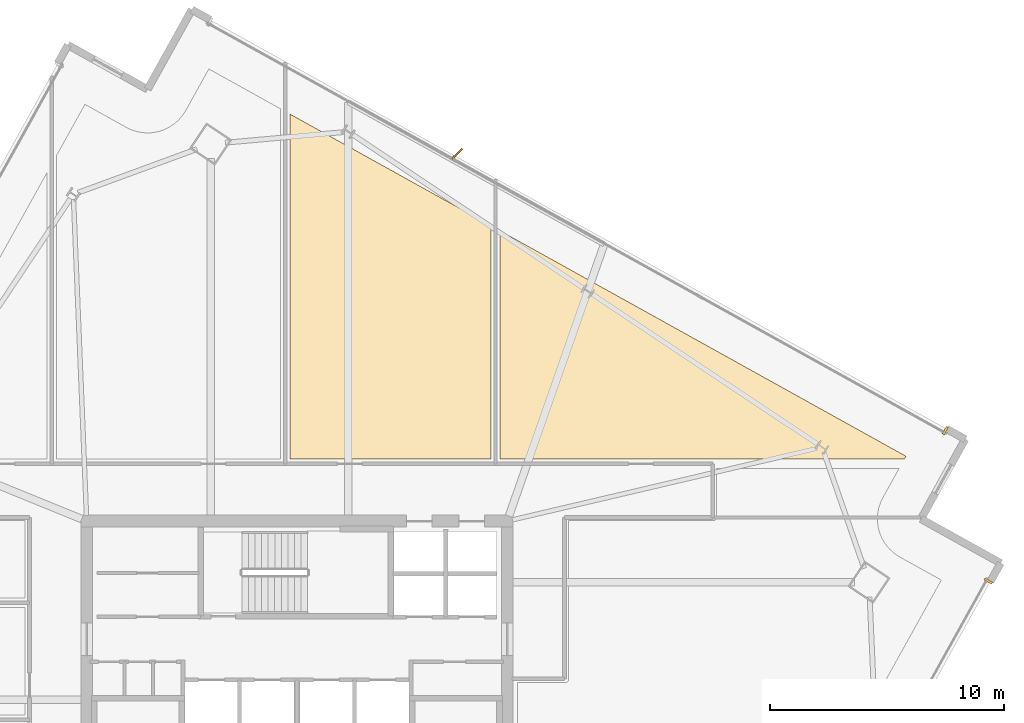
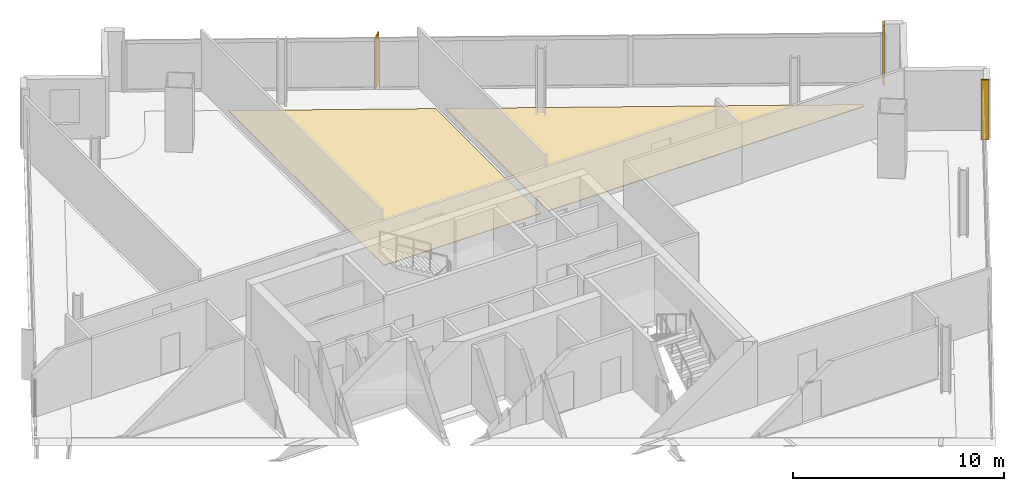
# One storey, part 28 of 28: 4 coverings, 1 shading device.
"""IFC4 building model written with IfcOpenShell, lengths in metres."""

from ifc_helpers import new_model, si_unit, direction, frame, origin, origin_2d, place, context, subcontext, project, spatial, polyline, rectangle, outline, extrude, source, transform, mapped, material, layer, layer_set, type_object, element, save


model = new_model("IFC4")

# Units and contexts
model_context = context("Model", 3, precision=1e-05, world=origin(), true_north=direction((0.0, 1.0)))
body_context = subcontext(model_context, "Body", "Model", "MODEL_VIEW")
ifc_project = project(units=[si_unit("LENGTHUNIT", "METRE"), si_unit("AREAUNIT", "SQUARE_METRE"), si_unit("VOLUMEUNIT", "CUBIC_METRE"), si_unit("PLANEANGLEUNIT", "RADIAN"), si_unit("MASSUNIT", "GRAM", prefix="KILO")], contexts=[model_context])

# Site, building, storey
site_placement = place(None, origin())
site = spatial("IfcSite", under=ifc_project, at=site_placement, CompositionType="ELEMENT")
building_placement = place(site_placement, origin())
building = spatial("IfcBuilding", under=site, at=building_placement, Name="Haldenkirk Collegiate Tower", CompositionType="ELEMENT")
storey_placement = place(building_placement, frame((0.0, 0.0, 232.199951171875)))
storey = spatial("IfcBuildingStorey", under=building, at=storey_placement, Name="L58", CompositionType="ELEMENT", Elevation=232.199951171875)

# Coverings
ifc_material_1 = material(Name="Polished collegiate terrazzo", Category="concrete")
ifc_layer_1 = layer(ifc_material_1, 0.02490234375)
ifc_layer_set_1 = layer_set([ifc_layer_1], Name="Polished collegiate terrazzo")
covering_type_1 = type_object("IfcCoveringType", Name="COV-FLOOR-TERRAZZO", PredefinedType="FLOORING", material=ifc_layer_set_1)
covering_1_placement = place(storey_placement, origin())
element("IfcCovering", 1, at=covering_1_placement, inside=storey, type_object=covering_type_1, Name="L58 academic room finish 06", PredefinedType="FLOORING", context=body_context, shape_type="SweptSolid", body=[
    extrude(outline(polyline([(62.06787109375, 36.778076171875), (61.996826171875, 36.64990234375), (44.699951171875, 36.64990234375), (44.699951171875, 46.425048828125), (62.06787109375, 36.778076171875)])), origin(), (0.0, 0.0, 1.0), 0.025146484375),
])
ifc_material_2 = material(Name="Engineered collegiate oak acoustic flooring", Category="wood")
ifc_layer_2 = layer(ifc_material_2, 0.02197265625)
ifc_layer_set_2 = layer_set([ifc_layer_2], Name="Engineered collegiate oak acoustic flooring")
covering_type_2 = type_object("IfcCoveringType", Name="COV-FLOOR-TIMBER", PredefinedType="FLOORING", material=ifc_layer_set_2)
covering_2_placement = place(storey_placement, origin())
element("IfcCovering", 2, at=covering_2_placement, inside=storey, type_object=covering_type_2, Name="L58 academic room finish 05", PredefinedType="FLOORING", context=body_context, shape_type="SweptSolid", body=[
    extrude(outline(polyline([(44.300048828125, 46.647216796875), (44.300048828125, 36.64990234375), (35.699951171875, 36.64990234375), (35.699951171875, 51.424072265625), (44.300048828125, 46.647216796875)])), origin(), (0.0, 0.0, 1.0), 0.02197265625),
])
ifc_material_3 = material(Name="Anodised architectural bronze aluminium", Category="aluminium")
ifc_layer_3 = layer(ifc_material_3, 0.06005859375)
ifc_layer_set_3 = layer_set([ifc_layer_3], Name="Anodised architectural bronze aluminium")
covering_type_3 = type_object("IfcCoveringType", Name="COV-CLAD-BRONZE-60", PredefinedType="CLADDING", material=ifc_layer_set_3)
shared_shape_1 = source(origin(), body_context, "Body", "SweptSolid", [
    extrude(rectangle(XDim=0.10009765625, YDim=0.3798828125, at=origin_2d()), origin(), (0.0, 0.0, 1.0), 3.469970703125),
])
for number, where, z_axis, x_axis, name in (
    (3, (65.59619140625, 31.432373046875, 0.0), (0.0, 0.0, 1.0), (-0.485572685227, -0.874196297957, 0.0), "L58 recessed curtain-wall bronze jamb closure SJL"),
    (4, (63.75390625, 37.877685546875, 0.0), (0.0, 0.0, 1.0), (0.874196297957, -0.485572685227, 0.0), "L58 recessed curtain-wall bronze jamb closure EJR"),
):
    element("IfcCovering", number, at=place(storey_placement, frame(where, z_axis=z_axis, x_axis=x_axis)), inside=storey, type_object=covering_type_3, Name=name, PredefinedType="CLADDING", context=body_context, shape_type="MappedRepresentation", body=[
        mapped(shared_shape_1, transform((0.0, 0.0, 0.0), x_axis=(1.0, 0.0, 0.0), y_axis=(0.0, 1.0, 0.0), z_axis=(0.0, 0.0, 1.0), scale=1.0)),
    ])

# Shading device
ifc_layer_4 = layer(ifc_material_3, 0.06494140625)
ifc_layer_set_4 = layer_set([ifc_layer_4], Name="Anodised architectural bronze aluminium")
shading_device_type = type_object("IfcShadingDeviceType", Name="SHD-FIN-BRONZE-620", PredefinedType="USERDEFINED", material=ifc_layer_set_4)
shared_shape_2 = source(origin(), body_context, "Body", "SweptSolid", [
    extrude(rectangle(XDim=0.6201171875, YDim=0.06494140625, at=origin_2d()), origin(), (0.0, 0.0, 1.0), 2.927978515625),
])
shading_device_placement = place(storey_placement, frame((42.855224609375, 49.72021484375, 0.0), z_axis=(0.0, 0.0, 1.0), x_axis=(0.707723578937, 0.706489444944, 0.0)))
element("IfcShadingDevice", 5, at=shading_device_placement, inside=storey, type_object=shading_device_type, Name="L58 folded bronze solar fin 1", ObjectType="FIN", PredefinedType="USERDEFINED", context=body_context, shape_type="MappedRepresentation", body=[
    mapped(shared_shape_2, transform((0.0, 0.0, 0.0), x_axis=(1.0, 0.0, 0.0), y_axis=(0.0, 1.0, 0.0), z_axis=(0.0, 0.0, 1.0), scale=1.0)),
])

save(model, "model.ifc")
